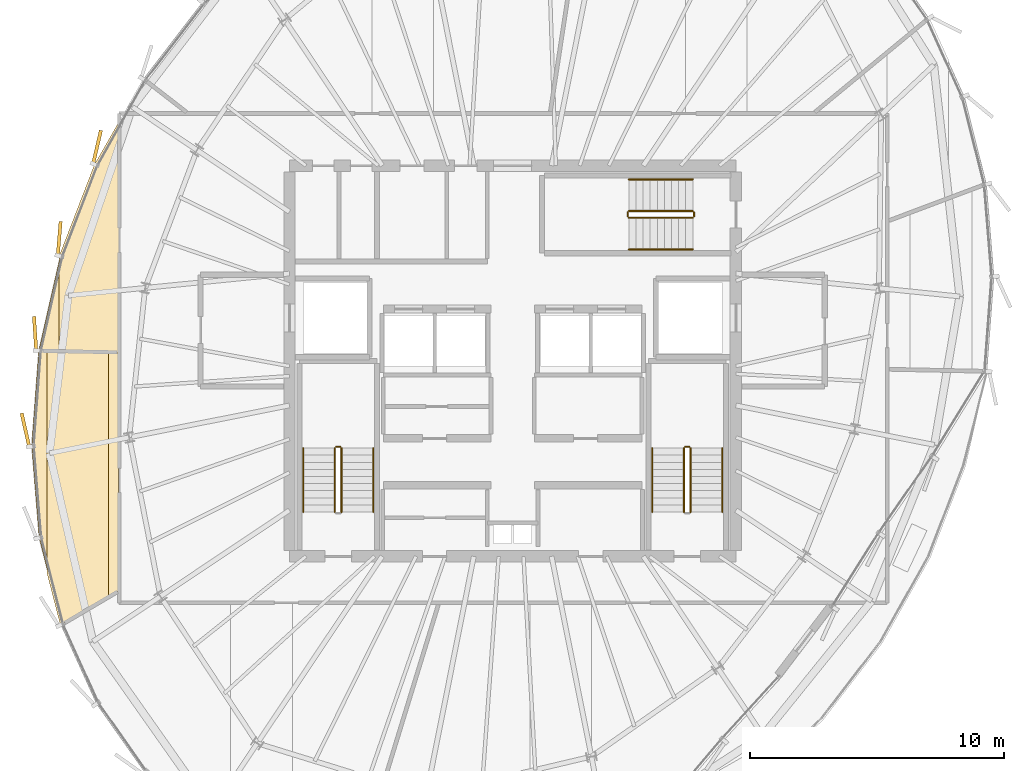
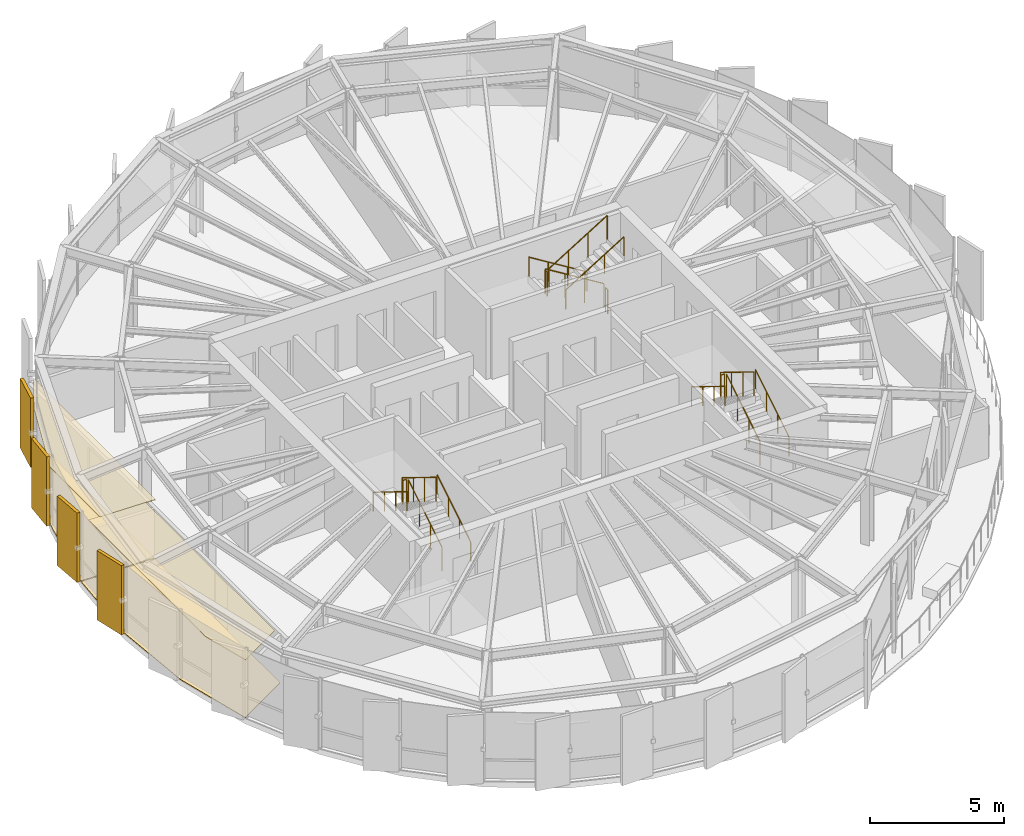
# One storey, part 29 of 30: 16 railings, 8 coverings.
"""IFC4 building model written with IfcOpenShell, lengths in metres."""

import ifcopenshell
import ifcopenshell.guid

model = None  # the IFC model being written
_history = None  # IfcOwnerHistory: only IFC2X3 demands one
_inside = {}  # id of a spatial element -> (the spatial element, [elements in it])
_under = {}  # id of a project, library or spatial element -> (it, [spatial elements below it])
_declared = {}  # id of a project -> (the project, [libraries it declares])
_typed = {}  # id of a type object -> (the type object, [elements of that type])
_made_of = {}  # id of a material, layer set ... -> (it, [elements and type objects made of it])


def new_model(schema):
    """Start an empty IFC model of exactly this schema.

    Asked for "IFC4X3", IfcOpenShell would pick the latest addendum, in which some entities
    have other attributes; the version numbers below select the first issue.
    IFC2X3 requires an IfcOwnerHistory on every rooted entity: one is made here for all.
    """
    global model, _history
    if schema == "IFC4X3":
        model = ifcopenshell.file(schema_version=(4, 3, 0, 0))
    else:
        model = ifcopenshell.file(schema=schema)
    _inside.clear()
    _under.clear()
    _declared.clear()
    _typed.clear()
    _made_of.clear()
    _history = None
    if model.schema == "IFC2X3":
        org = make("IfcOrganization", Name="unknown")
        user = make(
            "IfcPersonAndOrganization",
            ThePerson=make("IfcPerson", FamilyName="unknown"),
            TheOrganization=org,
        )
        app = make(
            "IfcApplication",
            ApplicationDeveloper=org,
            Version="unknown",
            ApplicationFullName="unknown",
            ApplicationIdentifier="unknown",
        )
        _history = make(
            "IfcOwnerHistory",
            OwningUser=user,
            OwningApplication=app,
            ChangeAction="ADDED",
            CreationDate=0,
        )
    return model


def make(cls, **values):
    """One entity of the class cls with the attributes given. An attribute that is None is left unset."""
    return model.create_entity(
        cls, **{name: value for name, value in values.items() if value is not None}
    )


def rooted(cls, **values):
    """An entity with a GlobalId (a new one), such as an element, a storey or a relation."""
    return make(cls, GlobalId=ifcopenshell.guid.new(), OwnerHistory=_history, **values)


def si_unit(unit_type, name, prefix=None):
    """IfcSIUnit, for example si_unit("LENGTHUNIT", "METRE", prefix="MILLI")."""
    return make("IfcSIUnit", UnitType=unit_type, Prefix=prefix, Name=name)


def assignment(units):
    """IfcUnitAssignment: the units of a project."""
    return None if units is None else make("IfcUnitAssignment", Units=units)


def point(xyz):
    """IfcCartesianPoint."""
    return None if xyz is None else make("IfcCartesianPoint", Coordinates=xyz)


def direction(xyz):
    """IfcDirection."""
    return None if xyz is None else make("IfcDirection", DirectionRatios=xyz)


def frame(location, z_axis=None, x_axis=None):
    """IfcAxis2Placement3D, a coordinate frame: its origin and axes. An axis left out is left unset."""
    return make(
        "IfcAxis2Placement3D",
        Location=point(location),
        Axis=direction(z_axis),
        RefDirection=direction(x_axis),
    )


def frame_2d(location, x_axis=None):
    """IfcAxis2Placement2D, a coordinate frame in the plane: its origin and x axis."""
    return make(
        "IfcAxis2Placement2D", Location=point(location), RefDirection=direction(x_axis)
    )


def origin():
    """The frame at (0, 0, 0) with its axes left unset."""
    return frame((0.0, 0.0, 0.0))


def origin_2d():
    """The frame at (0, 0) in the plane with its x axis left unset."""
    return frame_2d((0.0, 0.0))


def place(relative_to, where):
    """IfcLocalPlacement: puts the frame where relative to a parent placement (None: the world)."""
    return make(
        "IfcLocalPlacement", PlacementRelTo=relative_to, RelativePlacement=where
    )


def context(
    kind, dimensions, precision=None, world=None, true_north=None, identifier=None
):
    """IfcGeometricRepresentationContext, for example the 3D "Model" context."""
    return make(
        "IfcGeometricRepresentationContext",
        ContextIdentifier=identifier,
        ContextType=kind,
        CoordinateSpaceDimension=dimensions,
        Precision=precision,
        WorldCoordinateSystem=world,
        TrueNorth=true_north,
    )


def subcontext(parent, identifier, kind, view, scale=None):
    """IfcGeometricRepresentationSubContext, for example "Body" below "Model"."""
    return make(
        "IfcGeometricRepresentationSubContext",
        ContextIdentifier=identifier,
        ContextType=kind,
        ParentContext=parent,
        TargetScale=scale,
        TargetView=view,
    )


def project(units=None, contexts=None):
    """IfcProject with its units and contexts."""
    return rooted(
        "IfcProject",
        Name="project",
        RepresentationContexts=contexts,
        UnitsInContext=assignment(units),
    )


def spatial(cls, under=None, at=None, **own):
    """A site, building, storey or space (cls), placed at a placement, below another one or the project."""
    s = rooted(cls, ObjectPlacement=at, **own)
    if under is not None:
        _under.setdefault(under.id(), (under, []))[1].append(s)
    return s


def polyline(points):
    """IfcPolyline through the points."""
    return make("IfcPolyline", Points=[point(p) for p in points])


def profile(cls, at=None, kind="AREA", **sizes):
    """A parametric profile (cls). Its sizes go by their IFC names, for example OverallWidth=200.0."""
    return make(cls, ProfileType=kind, Position=at, **sizes)


def rectangle(**sizes):
    """IfcRectangleProfileDef."""
    return profile("IfcRectangleProfileDef", **sizes)


def circle(**sizes):
    """IfcCircleProfileDef."""
    return profile("IfcCircleProfileDef", **sizes)


def outline(outer, holes=None, kind="AREA"):
    """IfcArbitraryClosedProfileDef: a profile drawn as a closed curve; with holes, ...WithVoids."""
    if holes is None:
        return make("IfcArbitraryClosedProfileDef", ProfileType=kind, OuterCurve=outer)
    return make(
        "IfcArbitraryProfileDefWithVoids",
        ProfileType=kind,
        OuterCurve=outer,
        InnerCurves=holes,
    )


def extrude(swept, where, along, depth):
    """IfcExtrudedAreaSolid: the profile swept, set in the frame where, extruded along a direction by depth."""
    return make(
        "IfcExtrudedAreaSolid",
        SweptArea=swept,
        Position=where,
        ExtrudedDirection=direction(along),
        Depth=depth,
    )


def shape(context_of_items, identifier, shape_type, items):
    """IfcShapeRepresentation: the items that make up one representation, for example the "Body"."""
    return make(
        "IfcShapeRepresentation",
        ContextOfItems=context_of_items,
        RepresentationIdentifier=identifier,
        RepresentationType=shape_type,
        Items=items,
    )


def source(mapping_origin, context_of_items, identifier, shape_type, items):
    """IfcRepresentationMap: a shape defined once, which mapped items show again and again."""
    return make(
        "IfcRepresentationMap",
        MappingOrigin=mapping_origin,
        MappedRepresentation=shape(context_of_items, identifier, shape_type, items),
    )


def transform(
    local_origin,
    x_axis=None,
    y_axis=None,
    z_axis=None,
    scale=None,
    scale2=None,
    scale3=None,
    uniform=True,
):
    """IfcCartesianTransformationOperator3D, or its non-uniform kind. x_axis, y_axis, z_axis: its Axis1, 2, 3."""
    if uniform:
        return make(
            "IfcCartesianTransformationOperator3D",
            Axis1=direction(x_axis),
            Axis2=direction(y_axis),
            LocalOrigin=point(local_origin),
            Scale=scale,
            Axis3=direction(z_axis),
        )
    return make(
        "IfcCartesianTransformationOperator3DnonUniform",
        Axis1=direction(x_axis),
        Axis2=direction(y_axis),
        LocalOrigin=point(local_origin),
        Scale=scale,
        Axis3=direction(z_axis),
        Scale2=scale2,
        Scale3=scale3,
    )


def mapped(mapping_source, mapping_target):
    """IfcMappedItem: shows the shape of a source again, moved by a transform."""
    return make(
        "IfcMappedItem", MappingSource=mapping_source, MappingTarget=mapping_target
    )


def material(Name=None, Category=None):
    """IfcMaterial."""
    return make("IfcMaterial", Name=Name, Category=Category)


def layer(
    of_material, thickness, ventilated=None, Name=None, Category=None, Priority=None
):
    """IfcMaterialLayer: one layer of a wall or slab, of a material (None: an air gap)."""
    return make(
        "IfcMaterialLayer",
        Material=of_material,
        LayerThickness=thickness,
        IsVentilated=ventilated,
        Name=Name,
        Category=Category,
        Priority=Priority,
    )


def layer_set(layers, Name=None):
    """IfcMaterialLayerSet."""
    return make("IfcMaterialLayerSet", MaterialLayers=layers, LayerSetName=Name)


def made_of(thing, what):
    """Note that an element or type object is made of a material, layer set ...; save() writes the relation."""
    if what is not None:
        _made_of.setdefault(what.id(), (what, []))[1].append(thing)
    return thing


def type_object(cls, material=None, **own):
    """A type object (cls), such as IfcWallType, which elements share."""
    return made_of(rooted(cls, **own), material)


def element(
    cls,
    number,
    at=None,
    inside=None,
    cuts=None,
    type_object=None,
    material=None,
    context=None,
    identifier="Body",
    shape_type=None,
    held_by="IfcProductDefinitionShape",
    body=None,
    shapes=None,
    **own,
):
    """One element of the class cls, such as IfcWall. Its Tag is "e" and its number.

    at: its placement. inside: the storey or other place that contains it. cuts: it is an
    opening in that element (IfcRelVoidsElement). A single representation is given by context,
    identifier, shape_type and body (its items); several are given by shapes. held_by: the class
    of the entity that holds the representations. save() writes the other relations.
    """
    e = rooted(cls, Tag="e%d" % number, ObjectPlacement=at, **own)
    if body is not None:
        shapes = [shape(context, identifier, shape_type, body)]
    if shapes is not None:
        e.Representation = make(held_by, Representations=shapes)
    if inside is not None:
        _inside.setdefault(inside.id(), (inside, []))[1].append(e)
    if cuts is not None:
        rooted(
            "IfcRelVoidsElement", RelatingBuildingElement=cuts, RelatedOpeningElement=e
        )
    if type_object is not None:
        _typed.setdefault(type_object.id(), (type_object, []))[1].append(e)
    return made_of(e, material)


def aggregate(whole, parts):
    """IfcRelAggregates: a whole, such as a stair, and the parts it consists of."""
    return rooted("IfcRelAggregates", RelatingObject=whole, RelatedObjects=parts)


def save(model, path):
    """Write the relations noted so far, then the file.

    IfcRelAggregates (storeys below a building ...), IfcRelContainedInSpatialStructure (elements
    in a storey), IfcRelDefinesByType, IfcRelAssociatesMaterial and IfcRelDeclares: one each for
    every whole, place, type object, material and project.
    """
    for whole, parts in _under.values():
        aggregate(whole, parts)
    for where, things in _inside.values():
        rooted(
            "IfcRelContainedInSpatialStructure",
            RelatedElements=things,
            RelatingStructure=where,
        )
    for kind, things in _typed.values():
        rooted("IfcRelDefinesByType", RelatedObjects=things, RelatingType=kind)
    for what, things in _made_of.values():
        rooted("IfcRelAssociatesMaterial", RelatedObjects=things, RelatingMaterial=what)
    for by, libraries in _declared.values():
        rooted("IfcRelDeclares", RelatingContext=by, RelatedDefinitions=libraries)
    model.write(path)


model = new_model("IFC4")

# Units and contexts
model_context = context("Model", 3, precision=1e-05, world=origin(), true_north=direction((0.0, 1.0)))
body_context = subcontext(model_context, "Body", "Model", "MODEL_VIEW")
ifc_project = project(units=[si_unit("LENGTHUNIT", "METRE"), si_unit("AREAUNIT", "SQUARE_METRE"), si_unit("VOLUMEUNIT", "CUBIC_METRE"), si_unit("PLANEANGLEUNIT", "RADIAN"), si_unit("MASSUNIT", "GRAM", prefix="KILO"), si_unit("THERMODYNAMICTEMPERATUREUNIT", "KELVIN")], contexts=[model_context])

# Site, building, storey
site_placement = place(None, origin())
site = spatial("IfcSite", under=ifc_project, at=site_placement, CompositionType="ELEMENT")
building_placement = place(site_placement, origin())
building = spatial("IfcBuilding", under=site, at=building_placement, Name="Kethvar Cultural Tower", CompositionType="ELEMENT")
storey_placement = place(building_placement, frame((0.0, 0.0, 293.949951171875)))
storey = spatial("IfcBuildingStorey", under=building, at=storey_placement, Name="L78", CompositionType="ELEMENT", Elevation=293.949951171875)

# Coverings
ifc_material_1 = material(Name="Acoustic Mineral Fibre Ceiling")
ifc_layer_1 = layer(ifc_material_1, 0.0400390625, Name="Acoustic Mineral Fibre Ceiling")
ifc_layer_set_1 = layer_set([ifc_layer_1], Name="Acoustic Mineral Fibre Ceiling (40 mm)")
covering_type_1 = type_object("IfcCoveringType", Name="CV-ACOUSTIC-CEIL", PredefinedType="CEILING", material=ifc_layer_set_1)
covering_1_placement = place(storey_placement, frame((0.0, 0.0, 2.670166015625)))
element("IfcCovering", 1, at=covering_1_placement, inside=storey, type_object=covering_type_1, Name="L78 Room 07 Acoustic Ceiling Panel", PredefinedType="CEILING", context=body_context, shape_type="SweptSolid", body=[
    extrude(outline(polyline([(28.92578125, 31.946533203125), (30.3173828125, 35.554443359375), (31.2978515625, 37.26513671875), (31.30078125, 28.124267578125), (28.915771484375, 28.173095703125), (28.92578125, 31.946533203125)])), origin(), (0.0, 0.0, 1.0), 0.039794921875),
])
covering_2_placement = place(storey_placement, frame((0.0, 0.0, 2.670166015625)))
element("IfcCovering", 2, at=covering_2_placement, inside=storey, type_object=covering_type_1, Name="L78 Room 08 Acoustic Ceiling Panel", PredefinedType="CEILING", context=body_context, shape_type="SweptSolid", body=[
    extrude(outline(polyline([(30.876220703125, 28.170166015625), (30.876220703125, 18.480224609375), (28.974609375, 17.375244140625), (28.4462890625, 19.422119140625), (28.4462890625, 28.223388671875), (30.876220703125, 28.170166015625)])), origin(), (0.0, 0.0, 1.0), 0.039794921875),
])
ifc_material_2 = material(Name="Architectural Oak Timber", Category="wood")
ifc_layer_2 = layer(ifc_material_2, 0.02490234375, Name="Architectural Oak Timber", Category="wood")
ifc_layer_set_2 = layer_set([ifc_layer_2], Name="Architectural Oak Timber (25 mm)")
covering_type_2 = type_object("IfcCoveringType", Name="CV-OAK-FLOOR", PredefinedType="FLOORING", material=ifc_layer_set_2)
covering_3_placement = place(storey_placement, origin())
element("IfcCovering", 3, at=covering_3_placement, inside=storey, type_object=covering_type_2, Name="L78 Room 07 Floor Finish", PredefinedType="FLOORING", context=body_context, shape_type="SweptSolid", body=[
    extrude(outline(polyline([(28.12158203125, 28.230712890625), (28.96435546875, 31.936279296875), (30.354248046875, 35.538818359375), (31.27001953125, 37.17041015625), (31.27001953125, 28.161376953125), (28.12158203125, 28.230712890625)])), origin(), (0.0, 0.0, 1.0), 0.025146484375),
])
covering_4_placement = place(storey_placement, origin())
element("IfcCovering", 4, at=covering_4_placement, inside=storey, type_object=covering_type_2, Name="L78 Room 08 Floor Finish", PredefinedType="FLOORING", context=body_context, shape_type="SweptSolid", body=[
    extrude(outline(polyline([(28.133056640625, 20.82861328125), (27.8369140625, 24.4677734375), (28.115234375, 28.19091796875), (31.27001953125, 28.121337890625), (31.27001953125, 18.756591796875), (28.99072265625, 17.42578125), (28.133056640625, 20.82861328125)])), origin(), (0.0, 0.0, 1.0), 0.025146484375),
])

# Railings
ifc_material_3 = material(Name="Steel S355J2", Category="steel")
railing_type_1 = type_object("IfcRailingType", Name="RL-STAIR-GUARD", PredefinedType="BALUSTRADE", material=ifc_material_3)
railing_1_placement = place(storey_placement, frame((40.050048828125, 21.85009765625, 0.172607421875)))
element("IfcRailing", 5, at=railing_1_placement, inside=storey, type_object=railing_type_1, Name="L78 ST-01 stair guard 1", PredefinedType="BALUSTRADE", context=body_context, shape_type="SweptSolid", body=[
    extrude(circle(Radius=0.02392578125, at=origin_2d()), frame((0.0, 0.0, 1.09619140625), z_axis=(0.0, 0.851400495292, 0.524516154772), x_axis=(-1.0, 0.0, 0.0)), (0.0, 0.0, 1.0), 2.9599609375),
    extrude(circle(Radius=0.02099609375, at=origin_2d()), origin(), (0.0, 0.0, 1.0), 1.072021484375),
    extrude(circle(Radius=0.02099609375, at=origin_2d()), frame((0.0, 0.840087890625, 0.517578125)), (0.0, 0.0, 1.0), 1.072021484375),
    extrude(circle(Radius=0.02099609375, at=origin_2d()), frame((0.0, 1.679931640625, 1.034912109375)), (0.0, 0.0, 1.0), 1.072021484375),
    extrude(circle(Radius=0.02099609375, at=origin_2d()), frame((0.0, 2.52001953125, 1.552490234375)), (0.0, 0.0, 1.0), 1.072021484375),
])
railing_2_placement = place(storey_placement, frame((40.0, 24.419921875, 1.72509765625)))
element("IfcRailing", 6, at=railing_2_placement, inside=storey, type_object=railing_type_1, Name="L78 ST-01 stair guard 2", PredefinedType="BALUSTRADE", context=body_context, shape_type="SweptSolid", body=[
    extrude(circle(Radius=0.02392578125, at=origin_2d()), frame((0.0, 0.0, 1.09619140625), z_axis=(-1.0, 0.0, 0.0), x_axis=(0.0, -1.0, 0.0)), (0.0, 0.0, 1.0), 0.159912109375),
    extrude(circle(Radius=0.02099609375, at=origin_2d()), origin(), (0.0, 0.0, 1.0), 1.072021484375),
    extrude(circle(Radius=0.02099609375, at=origin_2d()), frame((-0.159912109375, 0.0, 0.0)), (0.0, 0.0, 1.0), 1.072021484375),
])
railing_3_placement = place(storey_placement, frame((39.7900390625, 24.3701171875, 1.8974609375)))
element("IfcRailing", 7, at=railing_3_placement, inside=storey, type_object=railing_type_1, Name="L78 ST-01 stair guard 3", PredefinedType="BALUSTRADE", context=body_context, shape_type="SweptSolid", body=[
    extrude(circle(Radius=0.02392578125, at=origin_2d()), frame((0.0, 0.0, 1.09619140625), z_axis=(0.0, -0.851400495292, 0.524516154772), x_axis=(1.0, 0.0, 0.0)), (0.0, 0.0, 1.0), 2.9599609375),
    extrude(circle(Radius=0.02099609375, at=origin_2d()), origin(), (0.0, 0.0, 1.0), 1.072021484375),
    extrude(circle(Radius=0.02099609375, at=origin_2d()), frame((0.0, -0.840087890625, 0.517578125)), (0.0, 0.0, 1.0), 1.072021484375),
    extrude(circle(Radius=0.02099609375, at=origin_2d()), frame((0.0, -1.679931640625, 1.034912109375)), (0.0, 0.0, 1.0), 1.072021484375),
    extrude(circle(Radius=0.02099609375, at=origin_2d()), frame((0.0, -2.52001953125, 1.552490234375)), (0.0, 0.0, 1.0), 1.072021484375),
])
railing_4_placement = place(storey_placement, frame((53.81005859375, 21.85009765625, 0.172607421875)))
element("IfcRailing", 8, at=railing_4_placement, inside=storey, type_object=railing_type_1, Name="L78 ST-02 stair guard 1", PredefinedType="BALUSTRADE", context=body_context, shape_type="SweptSolid", body=[
    extrude(circle(Radius=0.02392578125, at=origin_2d()), frame((0.0, 0.0, 1.09619140625), z_axis=(0.0, 0.851400495292, 0.524516154772), x_axis=(-1.0, 0.0, 0.0)), (0.0, 0.0, 1.0), 2.9599609375),
    extrude(circle(Radius=0.02099609375, at=origin_2d()), origin(), (0.0, 0.0, 1.0), 1.072021484375),
    extrude(circle(Radius=0.02099609375, at=origin_2d()), frame((0.0, 0.840087890625, 0.517578125)), (0.0, 0.0, 1.0), 1.072021484375),
    extrude(circle(Radius=0.02099609375, at=origin_2d()), frame((0.0, 1.679931640625, 1.034912109375)), (0.0, 0.0, 1.0), 1.072021484375),
    extrude(circle(Radius=0.02099609375, at=origin_2d()), frame((0.0, 2.52001953125, 1.552490234375)), (0.0, 0.0, 1.0), 1.072021484375),
])
railing_5_placement = place(storey_placement, frame((53.760009765625, 24.419921875, 1.72509765625)))
element("IfcRailing", 9, at=railing_5_placement, inside=storey, type_object=railing_type_1, Name="L78 ST-02 stair guard 2", PredefinedType="BALUSTRADE", context=body_context, shape_type="SweptSolid", body=[
    extrude(circle(Radius=0.02392578125, at=origin_2d()), frame((0.0, 0.0, 1.09619140625), z_axis=(-1.0, 0.0, 0.0), x_axis=(0.0, -1.0, 0.0)), (0.0, 0.0, 1.0), 0.159912109375),
    extrude(circle(Radius=0.02099609375, at=origin_2d()), origin(), (0.0, 0.0, 1.0), 1.072021484375),
    extrude(circle(Radius=0.02099609375, at=origin_2d()), frame((-0.159912109375, 0.0, 0.0)), (0.0, 0.0, 1.0), 1.072021484375),
])
railing_6_placement = place(storey_placement, frame((53.550048828125, 24.3701171875, 1.8974609375)))
element("IfcRailing", 10, at=railing_6_placement, inside=storey, type_object=railing_type_1, Name="L78 ST-02 stair guard 3", PredefinedType="BALUSTRADE", context=body_context, shape_type="SweptSolid", body=[
    extrude(circle(Radius=0.02392578125, at=origin_2d()), frame((0.0, 0.0, 1.09619140625), z_axis=(0.0, -0.851400495292, 0.524516154772), x_axis=(1.0, 0.0, 0.0)), (0.0, 0.0, 1.0), 2.9599609375),
    extrude(circle(Radius=0.02099609375, at=origin_2d()), origin(), (0.0, 0.0, 1.0), 1.072021484375),
    extrude(circle(Radius=0.02099609375, at=origin_2d()), frame((0.0, -0.840087890625, 0.517578125)), (0.0, 0.0, 1.0), 1.072021484375),
    extrude(circle(Radius=0.02099609375, at=origin_2d()), frame((0.0, -1.679931640625, 1.034912109375)), (0.0, 0.0, 1.0), 1.072021484375),
    extrude(circle(Radius=0.02099609375, at=origin_2d()), frame((0.0, -2.52001953125, 1.552490234375)), (0.0, 0.0, 1.0), 1.072021484375),
])
railing_7_placement = place(storey_placement, frame((53.89990234375, 33.7099609375, 0.172607421875)))
element("IfcRailing", 11, at=railing_7_placement, inside=storey, type_object=railing_type_1, Name="L78 ST-03 stair guard 1", PredefinedType="BALUSTRADE", context=body_context, shape_type="SweptSolid", body=[
    extrude(circle(Radius=0.02392578125, at=origin_2d()), frame((0.0, 0.0, 1.09619140625), z_axis=(-0.851400495292, 0.0, 0.524516154772), x_axis=(0.0, -1.0, 0.0)), (0.0, 0.0, 1.0), 2.9599609375),
    extrude(circle(Radius=0.02099609375, at=origin_2d()), origin(), (0.0, 0.0, 1.0), 1.072021484375),
    extrude(circle(Radius=0.02099609375, at=origin_2d()), frame((-0.840087890625, 0.0, 0.517578125)), (0.0, 0.0, 1.0), 1.072021484375),
    extrude(circle(Radius=0.02099609375, at=origin_2d()), frame((-1.679931640625, 0.0, 1.034912109375)), (0.0, 0.0, 1.0), 1.072021484375),
    extrude(circle(Radius=0.02099609375, at=origin_2d()), frame((-2.52001953125, 0.0, 1.552490234375)), (0.0, 0.0, 1.0), 1.072021484375),
])
railing_8_placement = place(storey_placement, frame((51.330078125, 33.659912109375, 1.72509765625)))
element("IfcRailing", 12, at=railing_8_placement, inside=storey, type_object=railing_type_1, Name="L78 ST-03 stair guard 2", PredefinedType="BALUSTRADE", context=body_context, shape_type="SweptSolid", body=[
    extrude(circle(Radius=0.02392578125, at=origin_2d()), frame((0.0, 0.0, 1.09619140625), z_axis=(0.0, -1.0, 0.0), x_axis=(1.0, 0.0, 0.0)), (0.0, 0.0, 1.0), 0.159912109375),
    extrude(circle(Radius=0.02099609375, at=origin_2d()), origin(), (0.0, 0.0, 1.0), 1.072021484375),
    extrude(circle(Radius=0.02099609375, at=origin_2d()), frame((0.0, -0.159912109375, 0.0)), (0.0, 0.0, 1.0), 1.072021484375),
])
railing_9_placement = place(storey_placement, frame((51.3798828125, 33.449951171875, 1.8974609375)))
element("IfcRailing", 13, at=railing_9_placement, inside=storey, type_object=railing_type_1, Name="L78 ST-03 stair guard 3", PredefinedType="BALUSTRADE", context=body_context, shape_type="SweptSolid", body=[
    extrude(circle(Radius=0.02392578125, at=origin_2d()), frame((0.0, 0.0, 1.09619140625), z_axis=(0.851400495292, 0.0, 0.524516154772), x_axis=(0.0, 1.0, 0.0)), (0.0, 0.0, 1.0), 2.9599609375),
    extrude(circle(Radius=0.02099609375, at=origin_2d()), origin(), (0.0, 0.0, 1.0), 1.072021484375),
    extrude(circle(Radius=0.02099609375, at=origin_2d()), frame((0.840087890625, 0.0, 0.517578125)), (0.0, 0.0, 1.0), 1.072021484375),
    extrude(circle(Radius=0.02099609375, at=origin_2d()), frame((1.679931640625, 0.0, 1.034912109375)), (0.0, 0.0, 1.0), 1.072021484375),
    extrude(circle(Radius=0.02099609375, at=origin_2d()), frame((2.52001953125, 0.0, 1.552490234375)), (0.0, 0.0, 1.0), 1.072021484375),
])
railing_10_placement = place(storey_placement, frame((53.949951171875, 33.659912109375, 0.0)))
element("IfcRailing", 14, at=railing_10_placement, inside=storey, type_object=railing_type_1, Name="L78 ST-03 stair guard 4", PredefinedType="BALUSTRADE", context=body_context, shape_type="SweptSolid", body=[
    extrude(circle(Radius=0.02392578125, at=origin_2d()), frame((0.0, 0.0, 1.09619140625), z_axis=(0.0, -1.0, 0.0), x_axis=(1.0, 0.0, 0.0)), (0.0, 0.0, 1.0), 0.159912109375),
    extrude(circle(Radius=0.02099609375, at=origin_2d()), origin(), (0.0, 0.0, 1.0), 1.072021484375),
    extrude(circle(Radius=0.02099609375, at=origin_2d()), frame((0.0, -0.159912109375, 0.0)), (0.0, 0.0, 1.0), 1.072021484375),
])
railing_type_2 = type_object("IfcRailingType", Name="RL-STAIR-HANDRAIL", PredefinedType="HANDRAIL", material=ifc_material_3)
railing_11_placement = place(storey_placement, frame((41.300048828125, 21.85009765625, 0.172607421875)))
element("IfcRailing", 15, at=railing_11_placement, inside=storey, type_object=railing_type_2, Name="L78 ST-01 stair handrail 1", PredefinedType="HANDRAIL", context=body_context, shape_type="SweptSolid", body=[
    extrude(circle(Radius=0.02392578125, at=origin_2d()), frame((0.0, 0.0, 0.8759765625), z_axis=(0.0, 0.851400495292, 0.524516154772), x_axis=(-1.0, 0.0, 0.0)), (0.0, 0.0, 1.0), 2.9599609375),
    extrude(circle(Radius=0.02099609375, at=origin_2d()), origin(), (0.0, 0.0, 1.0), 0.851806640625),
    extrude(circle(Radius=0.02099609375, at=origin_2d()), frame((0.0, 0.840087890625, 0.517578125)), (0.0, 0.0, 1.0), 0.851806640625),
    extrude(circle(Radius=0.02099609375, at=origin_2d()), frame((0.0, 1.679931640625, 1.034912109375)), (0.0, 0.0, 1.0), 0.851806640625),
    extrude(circle(Radius=0.02099609375, at=origin_2d()), frame((0.0, 2.52001953125, 1.552490234375)), (0.0, 0.0, 1.0), 0.851806640625),
])
railing_12_placement = place(storey_placement, frame((38.5400390625, 24.3701171875, 1.8974609375)))
element("IfcRailing", 16, at=railing_12_placement, inside=storey, type_object=railing_type_2, Name="L78 ST-01 stair handrail 2", PredefinedType="HANDRAIL", context=body_context, shape_type="SweptSolid", body=[
    extrude(circle(Radius=0.02392578125, at=origin_2d()), frame((0.0, 0.0, 0.8759765625), z_axis=(0.0, -0.851400495292, 0.524516154772), x_axis=(1.0, 0.0, 0.0)), (0.0, 0.0, 1.0), 2.9599609375),
    extrude(circle(Radius=0.02099609375, at=origin_2d()), origin(), (0.0, 0.0, 1.0), 0.851806640625),
    extrude(circle(Radius=0.02099609375, at=origin_2d()), frame((0.0, -0.840087890625, 0.517578125)), (0.0, 0.0, 1.0), 0.851806640625),
    extrude(circle(Radius=0.02099609375, at=origin_2d()), frame((0.0, -1.679931640625, 1.034912109375)), (0.0, 0.0, 1.0), 0.851806640625),
    extrude(circle(Radius=0.02099609375, at=origin_2d()), frame((0.0, -2.52001953125, 1.552490234375)), (0.0, 0.0, 1.0), 0.851806640625),
])
railing_13_placement = place(storey_placement, frame((55.06005859375, 21.85009765625, 0.172607421875)))
element("IfcRailing", 17, at=railing_13_placement, inside=storey, type_object=railing_type_2, Name="L78 ST-02 stair handrail 1", PredefinedType="HANDRAIL", context=body_context, shape_type="SweptSolid", body=[
    extrude(circle(Radius=0.02392578125, at=origin_2d()), frame((0.0, 0.0, 0.8759765625), z_axis=(0.0, 0.851400495292, 0.524516154772), x_axis=(-1.0, 0.0, 0.0)), (0.0, 0.0, 1.0), 2.9599609375),
    extrude(circle(Radius=0.02099609375, at=origin_2d()), origin(), (0.0, 0.0, 1.0), 0.851806640625),
    extrude(circle(Radius=0.02099609375, at=origin_2d()), frame((0.0, 0.840087890625, 0.517578125)), (0.0, 0.0, 1.0), 0.851806640625),
    extrude(circle(Radius=0.02099609375, at=origin_2d()), frame((0.0, 1.679931640625, 1.034912109375)), (0.0, 0.0, 1.0), 0.851806640625),
    extrude(circle(Radius=0.02099609375, at=origin_2d()), frame((0.0, 2.52001953125, 1.552490234375)), (0.0, 0.0, 1.0), 0.851806640625),
])
railing_14_placement = place(storey_placement, frame((52.300048828125, 24.3701171875, 1.8974609375)))
element("IfcRailing", 18, at=railing_14_placement, inside=storey, type_object=railing_type_2, Name="L78 ST-02 stair handrail 2", PredefinedType="HANDRAIL", context=body_context, shape_type="SweptSolid", body=[
    extrude(circle(Radius=0.02392578125, at=origin_2d()), frame((0.0, 0.0, 0.8759765625), z_axis=(0.0, -0.851400495292, 0.524516154772), x_axis=(1.0, 0.0, 0.0)), (0.0, 0.0, 1.0), 2.9599609375),
    extrude(circle(Radius=0.02099609375, at=origin_2d()), origin(), (0.0, 0.0, 1.0), 0.851806640625),
    extrude(circle(Radius=0.02099609375, at=origin_2d()), frame((0.0, -0.840087890625, 0.517578125)), (0.0, 0.0, 1.0), 0.851806640625),
    extrude(circle(Radius=0.02099609375, at=origin_2d()), frame((0.0, -1.679931640625, 1.034912109375)), (0.0, 0.0, 1.0), 0.851806640625),
    extrude(circle(Radius=0.02099609375, at=origin_2d()), frame((0.0, -2.52001953125, 1.552490234375)), (0.0, 0.0, 1.0), 0.851806640625),
])
railing_15_placement = place(storey_placement, frame((53.89990234375, 34.9599609375, 0.172607421875)))
element("IfcRailing", 19, at=railing_15_placement, inside=storey, type_object=railing_type_2, Name="L78 ST-03 stair handrail 1", PredefinedType="HANDRAIL", context=body_context, shape_type="SweptSolid", body=[
    extrude(circle(Radius=0.02392578125, at=origin_2d()), frame((0.0, 0.0, 0.8759765625), z_axis=(-0.851400495292, 0.0, 0.524516154772), x_axis=(0.0, -1.0, 0.0)), (0.0, 0.0, 1.0), 2.9599609375),
    extrude(circle(Radius=0.02099609375, at=origin_2d()), origin(), (0.0, 0.0, 1.0), 0.851806640625),
    extrude(circle(Radius=0.02099609375, at=origin_2d()), frame((-0.840087890625, 0.0, 0.517578125)), (0.0, 0.0, 1.0), 0.851806640625),
    extrude(circle(Radius=0.02099609375, at=origin_2d()), frame((-1.679931640625, 0.0, 1.034912109375)), (0.0, 0.0, 1.0), 0.851806640625),
    extrude(circle(Radius=0.02099609375, at=origin_2d()), frame((-2.52001953125, 0.0, 1.552490234375)), (0.0, 0.0, 1.0), 0.851806640625),
])
railing_16_placement = place(storey_placement, frame((51.3798828125, 32.199951171875, 1.8974609375)))
element("IfcRailing", 20, at=railing_16_placement, inside=storey, type_object=railing_type_2, Name="L78 ST-03 stair handrail 2", PredefinedType="HANDRAIL", context=body_context, shape_type="SweptSolid", body=[
    extrude(circle(Radius=0.02392578125, at=origin_2d()), frame((0.0, 0.0, 0.8759765625), z_axis=(0.851400495292, 0.0, 0.524516154772), x_axis=(0.0, 1.0, 0.0)), (0.0, 0.0, 1.0), 2.9599609375),
    extrude(circle(Radius=0.02099609375, at=origin_2d()), origin(), (0.0, 0.0, 1.0), 0.851806640625),
    extrude(circle(Radius=0.02099609375, at=origin_2d()), frame((0.840087890625, 0.0, 0.517578125)), (0.0, 0.0, 1.0), 0.851806640625),
    extrude(circle(Radius=0.02099609375, at=origin_2d()), frame((1.679931640625, 0.0, 1.034912109375)), (0.0, 0.0, 1.0), 0.851806640625),
    extrude(circle(Radius=0.02099609375, at=origin_2d()), frame((2.52001953125, 0.0, 1.552490234375)), (0.0, 0.0, 1.0), 0.851806640625),
])

# Coverings
ifc_material_4 = material(Name="Extruded Architectural Terracotta", Category="masonry")
ifc_layer_3 = layer(ifc_material_4, 0.135009765625, Name="Extruded Architectural Terracotta", Category="masonry")
ifc_layer_set_3 = layer_set([ifc_layer_3], Name="Extruded Architectural Terracotta (135 mm)")
covering_type_3 = type_object("IfcCoveringType", Name="Terracotta Facade Fin FIN-03", PredefinedType="CLADDING", material=ifc_layer_set_3)
shared_shape = source(origin(), body_context, "Body", "SweptSolid", [
    extrude(rectangle(XDim=1.35009765625, YDim=0.135009765625, at=origin_2d()), origin(), (0.0, 0.0, 1.0), 3.169921875),
])
for number, where, z_axis, x_axis, name in (
    (21, (30.41455078125, 36.2333984375, 0.02001953125), (0.0, 0.0, 1.0), (0.226651307437, 0.973975967279, 0.0), "L78 Vertical Terracotta Fin 2.4"),
    (22, (28.923828125, 32.63232421875, 0.02001953125), (0.0, 0.0, 1.0), (0.083851762871, 0.996478239533, 0.0), "L78 Vertical Terracotta Fin 2.5"),
    (23, (27.97314453125, 28.890625, 0.02001953125), (0.0, 0.0, 1.0), (-0.064880642578, 0.997893031451, 0.0), "L78 Vertical Terracotta Fin 2.6"),
    (24, (27.592041015625, 25.084228515625, 0.02001953125), (0.0, 0.0, 1.0), (-0.219165099243, 0.975687787806, 0.0), "L78 Vertical Terracotta Fin 3.1"),
):
    element("IfcCovering", number, at=place(storey_placement, frame(where, z_axis=z_axis, x_axis=x_axis)), inside=storey, type_object=covering_type_3, Name=name, PredefinedType="CLADDING", context=body_context, shape_type="MappedRepresentation", body=[
        mapped(shared_shape, transform((0.0, 0.0, 0.0), scale=1.0)),
    ])

save(model, "model.ifc")
